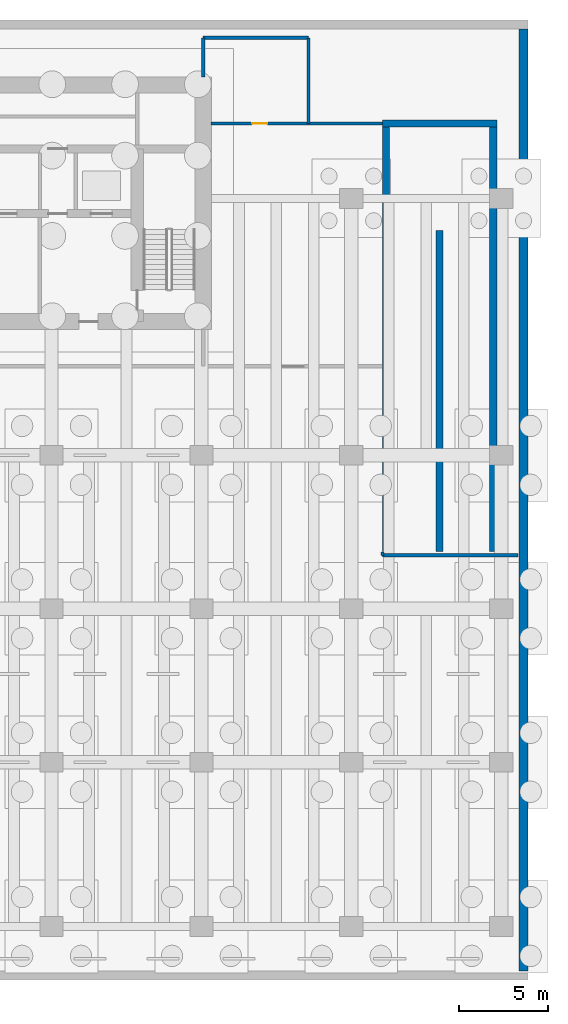
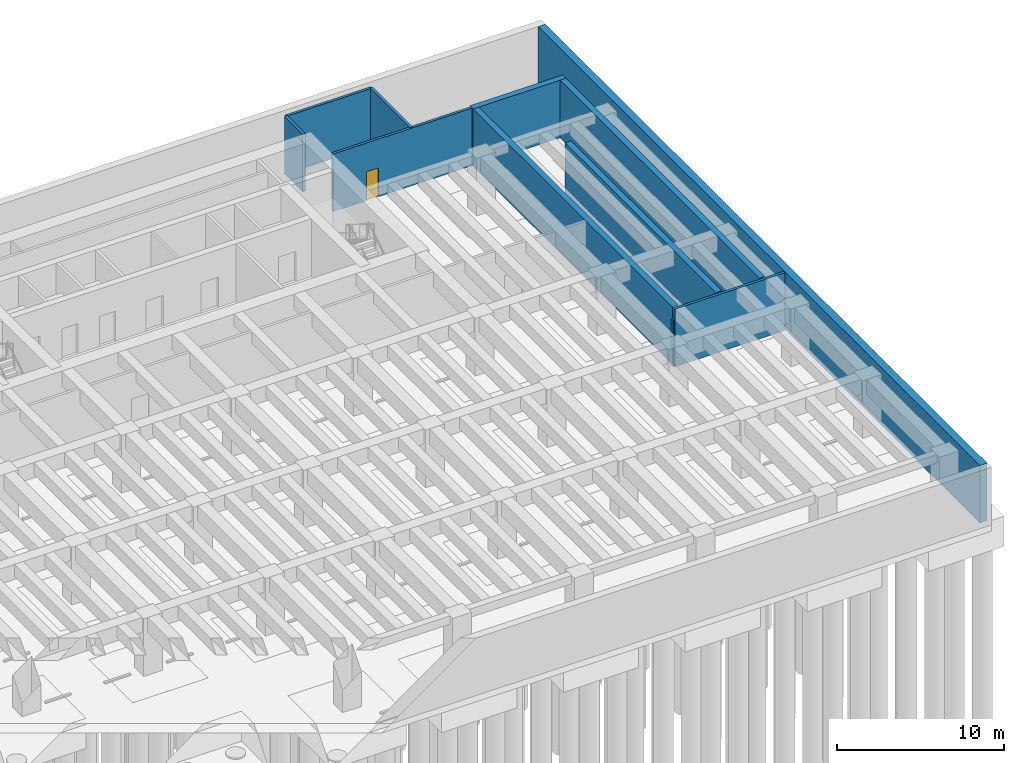
# One storey, part 6 of 10: 11 walls, 1 door, 1 opening.
"""IFC4 building model written with IfcOpenShell, lengths in metres."""

from ifc_helpers import new_model, si_unit, direction, frame, frame_2d, origin, place, context, subcontext, project, spatial, rectangle, extrude, material, layer, layer_set, type_object, element, fill, save


model = new_model("IFC4")

# Units and contexts
model_context = context("Model", 3, precision=1e-05, world=origin(), true_north=direction((0.0, 1.0)))
body_context = subcontext(model_context, "Body", "Model", "MODEL_VIEW")
ifc_project = project(units=[si_unit("LENGTHUNIT", "METRE"), si_unit("AREAUNIT", "SQUARE_METRE"), si_unit("VOLUMEUNIT", "CUBIC_METRE"), si_unit("PLANEANGLEUNIT", "RADIAN"), si_unit("MASSUNIT", "GRAM", prefix="KILO")], contexts=[model_context])

# Site, building, storey
site_placement = place(None, origin())
site = spatial("IfcSite", under=ifc_project, at=site_placement, CompositionType="ELEMENT")
building_placement = place(site_placement, origin())
building = spatial("IfcBuilding", under=site, at=building_placement, Name="Caelmar Bay Residences", CompositionType="ELEMENT")
storey_placement = place(building_placement, frame((0.0, 0.0, -9.0)))
storey = spatial("IfcBuildingStorey", under=building, at=storey_placement, Name="B02", CompositionType="ELEMENT", Elevation=-9.0)

# Walls
ifc_material_1 = material(Name="Concrete f'c 40 MPa (6,000 psi)", Category="concrete")
ifc_layer_1 = layer(ifc_material_1, 0.5)
ifc_layer_set_1 = layer_set([ifc_layer_1], Name="Concrete f'c 40 MPa (6,000 psi)")
wall_type_1 = type_object("IfcWallType", Name="SW-BSM-500", PredefinedType="SOLIDWALL", material=ifc_layer_set_1)
wall_1_placement = place(storey_placement, frame((77.550048828125, 53.300048828125, 0.0), z_axis=(0.0, 0.0, 1.0), x_axis=(0.0, -1.0, 0.0)))
element("IfcWall", 1, at=wall_1_placement, inside=storey, type_object=wall_type_1, Name="B02 Perimeter Concrete Retaining Wall E", PredefinedType="SOLIDWALL", context=body_context, shape_type="SweptSolid", body=[
    extrude(rectangle(XDim=52.800048828125, YDim=0.5, at=frame_2d((26.39990234375, 0.0))), origin(), (0.0, 0.0, 1.0), 4.199951171875),
])
ifc_layer_2 = layer(ifc_material_1, 0.39990234375)
ifc_layer_set_2 = layer_set([ifc_layer_2], Name="Concrete f'c 40 MPa (6,000 psi)")
wall_type_2 = type_object("IfcWallType", Name="SW-RMP-400", PredefinedType="SHEAR", material=ifc_layer_set_2)
wall_2_placement = place(storey_placement, frame((69.64990234375, 48.0, 0.0), z_axis=(0.0, 0.0, 1.0), x_axis=(1.0, 0.0, 0.0)))
element("IfcWall", 2, at=wall_2_placement, inside=storey, type_object=wall_type_2, Name="B02 Substructure Support Wall N for B01-L00 Ramp", PredefinedType="SHEAR", context=body_context, shape_type="SweptSolid", body=[
    extrude(rectangle(XDim=6.400146484375, YDim=0.39990234375, at=frame_2d((3.2001953125, 0.0))), origin(), (0.0, 0.0, 1.0), 4.199951171875),
])
for number, where, z_axis, x_axis, name in (
    (3, (69.85009765625, 24.0, 0.0), (0.0, 0.0, 1.0), (0.0, 1.0, 0.0), "B02 Substructure Support Wall W for B01-L00 Ramp"),
    (4, (75.85009765625, 24.0, 0.0), (0.0, 0.0, 1.0), (0.0, 1.0, 0.0), "B02 Substructure Support Wall E for B01-L00 Ramp"),
):
    element("IfcWall", number, at=place(storey_placement, frame(where, z_axis=z_axis, x_axis=x_axis)), inside=storey, type_object=wall_type_2, Name=name, PredefinedType="SHEAR", context=body_context, shape_type="SweptSolid", body=[
        extrude(rectangle(XDim=23.800048828125, YDim=0.39990234375, at=frame_2d((11.89990234375, 0.0))), origin(), (0.0, 0.0, 1.0), 4.199951171875),
    ])
wall_3_placement = place(storey_placement, frame((72.85009765625, 24.0, 0.0), z_axis=(0.0, 0.0, 1.0), x_axis=(0.0, 1.0, 0.0)))
element("IfcWall", 5, at=wall_3_placement, inside=storey, type_object=wall_type_2, Name="B02 Substructure Support Wall M for B01-L00 Ramp", PredefinedType="SHEAR", context=body_context, shape_type="SweptSolid", body=[
    extrude(rectangle(XDim=18.0, YDim=0.39990234375, at=frame_2d((9.0, 0.0))), origin(), (0.0, 0.0, 1.0), 4.199951171875),
])
ifc_material_2 = material(Name="Double-stud acoustic fire-rated gypsum partition 180 mm")
ifc_layer_3 = layer(ifc_material_2, 0.179931640625)
ifc_layer_set_3 = layer_set([ifc_layer_3], Name="Double-stud acoustic fire-rated gypsum partition 180 mm")
wall_type_3 = type_object("IfcWallType", Name="W-COR-200", PredefinedType="PARTITIONING", material=ifc_layer_set_3)
wall_4_placement = place(storey_placement, frame((59.60009765625, 50.60498046875, 0.0), z_axis=(0.0, 0.0, 1.0), x_axis=(0.0, 1.0, 0.0)))
element("IfcWall", 6, at=wall_4_placement, inside=storey, type_object=wall_type_3, Name="B02 Partition Wall V018", PredefinedType="PARTITIONING", context=body_context, shape_type="SweptSolid", body=[
    extrude(rectangle(XDim=2.195068359375, YDim=0.179931640625, at=frame_2d((1.09765625, 0.0))), origin(), (0.0, 0.0, 1.0), 4.199951171875),
])
wall_5_placement = place(storey_placement, frame((65.5, 48.0, 0.0), z_axis=(0.0, 0.0, 1.0), x_axis=(0.0, 1.0, 0.0)))
element("IfcWall", 7, at=wall_5_placement, inside=storey, type_object=wall_type_3, Name="B02 Partition Wall V019", PredefinedType="PARTITIONING", context=body_context, shape_type="SweptSolid", body=[
    extrude(rectangle(XDim=4.800048828125, YDim=0.179931640625, at=frame_2d((2.39990234375, 0.0))), origin(), (0.0, 0.0, 1.0), 4.199951171875),
])
wall_6_placement = place(storey_placement, frame((69.64990234375, 23.800048828125, 0.0), z_axis=(0.0, 0.0, 1.0), x_axis=(0.0, 1.0, 0.0)))
element("IfcWall", 8, at=wall_6_placement, inside=storey, type_object=wall_type_3, Name="B02 Partition Wall V020", PredefinedType="PARTITIONING", context=body_context, shape_type="SweptSolid", body=[
    extrude(rectangle(XDim=0.195068359375, YDim=0.179931640625, at=frame_2d((0.09765625, 0.0))), origin(), (0.0, 0.0, 1.0), 3.3349609375),
])
wall_7_placement = place(storey_placement, frame((69.64990234375, 23.800048828125, 0.0), z_axis=(0.0, 0.0, 1.0), x_axis=(1.0, 0.0, 0.0)))
element("IfcWall", 9, at=wall_7_placement, inside=storey, type_object=wall_type_3, Name="B02 Partition Wall H023", PredefinedType="PARTITIONING", context=body_context, shape_type="SweptSolid", body=[
    extrude(rectangle(XDim=7.60009765625, YDim=0.179931640625, at=frame_2d((3.800048828125, 0.0))), origin(), (0.0, 0.0, 1.0), 4.199951171875),
])

# Wall, opening, door
wall_8_placement = place(storey_placement, frame((60.044921875, 48.0, 0.0), z_axis=(0.0, 0.0, 1.0), x_axis=(1.0, 0.0, 0.0)))
wall_8 = element("IfcWall", 10, at=wall_8_placement, inside=storey, type_object=wall_type_3, Name="B02 Partition Wall H025", PredefinedType="PARTITIONING", context=body_context, shape_type="SweptSolid", body=[
    extrude(rectangle(XDim=9.60009765625, YDim=0.179931640625, at=frame_2d((4.800048828125, 0.0))), origin(), (0.0, 0.0, 1.0), 4.199951171875),
])
opening_placement = place(wall_8_placement, frame((2.302490234375, 0.0, 0.0)))
opening = element("IfcOpeningElement", 11, at=opening_placement, cuts=wall_8, Name="Opening D-B02-125", PredefinedType="OPENING", context=body_context, shape_type="SweptSolid", body=[
    extrude(rectangle(XDim=0.85009765625, YDim=2.10009765625, at=frame_2d((0.425048828125, 1.050048828125))), frame((0.0, 0.099853515625, 0.0), z_axis=(0.0, -1.0, 0.0), x_axis=(1.0, 0.0, 0.0)), (0.0, 0.0, 1.0), 0.199951171875),
])
ifc_material_3 = material(Name="Solid walnut timber interior door leaf and frame", Category="wood")
ifc_layer_4 = layer(ifc_material_3, 0.050048828125)
ifc_layer_set_4 = layer_set([ifc_layer_4], Name="Solid walnut timber interior door leaf and frame")
door_type = type_object("IfcDoorType", Name="D-BATH-850", OperationType="NOTDEFINED", PredefinedType="DOOR", material=ifc_layer_set_4)
door_placement = place(opening_placement, origin())
door = element("IfcDoor", 12, at=door_placement, inside=storey, type_object=door_type, Name="B02 Accessible Plant WC Door", OperationType="SINGLE_SWING_RIGHT", OverallHeight=2.10009765625, OverallWidth=0.85009765625, PredefinedType="DOOR", context=body_context, shape_type="SweptSolid", body=[
    extrude(rectangle(XDim=0.85009765625, YDim=2.10009765625, at=frame_2d((0.425048828125, 1.050048828125))), frame((0.0, 0.02490234375, 0.0), z_axis=(0.0, -1.0, 0.0), x_axis=(1.0, 0.0, 0.0)), (0.0, 0.0, 1.0), 0.050048828125),
])
fill(opening, door)

# Wall
wall_9_placement = place(storey_placement, frame((59.60009765625, 52.800048828125, 0.0), z_axis=(0.0, 0.0, 1.0), x_axis=(1.0, 0.0, 0.0)))
element("IfcWall", 13, at=wall_9_placement, inside=storey, type_object=wall_type_3, Name="B02 Partition Wall H027", PredefinedType="PARTITIONING", context=body_context, shape_type="SweptSolid", body=[
    extrude(rectangle(XDim=5.89990234375, YDim=0.179931640625, at=frame_2d((2.949951171875, 0.0))), origin(), (0.0, 0.0, 1.0), 4.199951171875),
])

save(model, "model.ifc")
